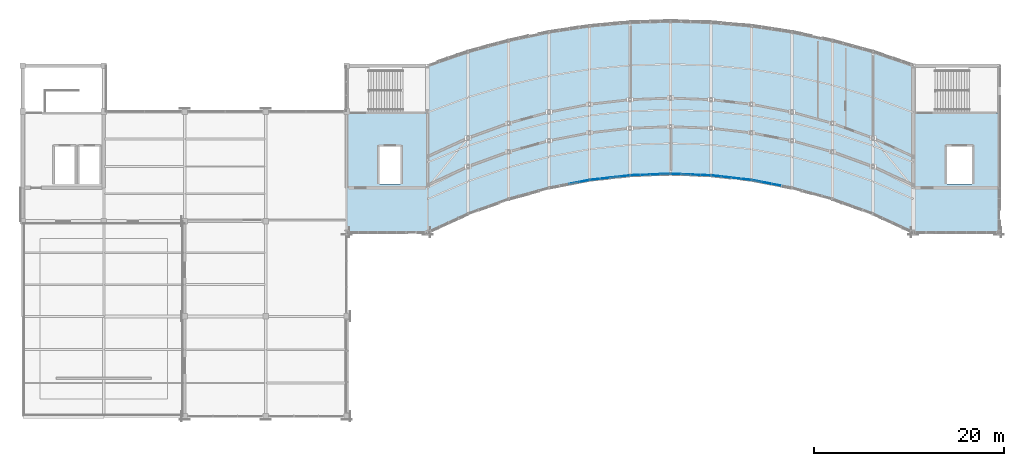
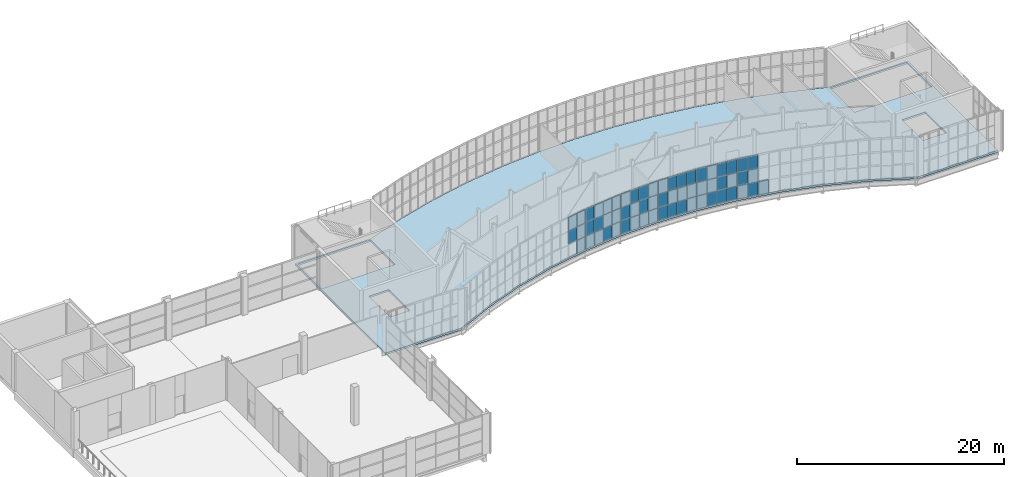
# One storey, part 35 of 46: 60 plates, 1 slab, 6 elements without a shape of their own.
"""IFC4 building model written with IfcOpenShell, lengths in metres."""

from ifc_helpers import new_model, si_unit, direction, frame, origin, origin_2d, place, context, subcontext, project, spatial, polyline, rectangle, outline, extrude, material, layer, layer_set, type_object, element, aggregate, save


model = new_model("IFC4")

# Units and contexts
model_context = context("Model", 3, precision=1e-05, world=origin(), true_north=direction((0.0, 1.0)))
body_context = subcontext(model_context, "Body", "Model", "MODEL_VIEW")
ifc_project = project(units=[si_unit("LENGTHUNIT", "METRE"), si_unit("AREAUNIT", "SQUARE_METRE"), si_unit("VOLUMEUNIT", "CUBIC_METRE"), si_unit("PLANEANGLEUNIT", "RADIAN"), si_unit("MASSUNIT", "GRAM", prefix="KILO")], contexts=[model_context])

# Site, building, storey
site_placement = place(None, origin())
site = spatial("IfcSite", under=ifc_project, at=site_placement, CompositionType="ELEMENT")
building_placement = place(site_placement, origin())
building = spatial("IfcBuilding", under=site, at=building_placement, Name="Solvikara Media Centre", CompositionType="ELEMENT")
storey_placement = place(building_placement, frame((0.0, 0.0, 24.60009765625)))
storey = spatial("IfcBuildingStorey", under=building, at=storey_placement, Name="L05", CompositionType="ELEMENT", Elevation=24.60009765625)

# Curtain wall, plate
ifc_material_1 = material(Name="Anodised aluminium EN AW-6063", Category="aluminium")
curtain_wall_type = type_object("IfcCurtainWallType", Name="CW-01", PredefinedType="NOTDEFINED", material=ifc_material_1)
curtain_wall_1_placement = place(storey_placement, origin())
curtain_wall_1 = element("IfcCurtainWall", 1, at=curtain_wall_1_placement, inside=storey, type_object=curtain_wall_type, Name="CW-L05-SARC-03", PredefinedType="NOTDEFINED")
ifc_material_2 = material(Name="Laminated solar-control cyan vision glass", Category="glass")
ifc_layer_1 = layer(ifc_material_2, 0.035888671875)
ifc_layer_set_1 = layer_set([ifc_layer_1], Name="Laminated solar-control cyan vision glass")
plate_type_1 = type_object("IfcPlateType", Name="PN-01", PredefinedType="CURTAIN_PANEL", material=ifc_layer_set_1)
plate_1_placement = place(storey_placement, frame((92.943115234375, 24.7099609375, 1.62158203125), z_axis=(0.0, 0.0, 1.0), x_axis=(0.981843017659, 0.189695252114, 0.0)))
plate_1 = element("IfcPlate", 2, at=plate_1_placement, type_object=plate_type_1, Name="CW-L05-SARC-03-P0301", PredefinedType="CURTAIN_PANEL", context=body_context, shape_type="SweptSolid", body=[
    extrude(rectangle(XDim=1.034912109375, YDim=0.035888671875, at=origin_2d()), origin(), (0.0, 0.0, 1.0), 1.556884765625),
])

# Curtain wall, plates
curtain_wall_2_placement = place(storey_placement, origin())
curtain_wall_2 = element("IfcCurtainWall", 3, at=curtain_wall_2_placement, inside=storey, type_object=curtain_wall_type, Name="CW-L05-SARC-04", PredefinedType="NOTDEFINED")
plate_2_placement = place(storey_placement, frame((94.05810546875, 24.882080078125, 3.20849609375), z_axis=(0.0, 0.0, 1.0), x_axis=(0.993498545066, 0.113844810828, 0.0)))
plate_2 = element("IfcPlate", 4, at=plate_2_placement, type_object=plate_type_1, Name="CW-L05-SARC-04-P0002", PredefinedType="CURTAIN_PANEL", context=body_context, shape_type="SweptSolid", body=[
    extrude(rectangle(XDim=1.02197265625, YDim=0.035888671875, at=origin_2d()), origin(), (0.0, 0.0, 1.0), 1.556884765625),
])
plate_3_placement = place(storey_placement, frame((95.10302734375, 25.001953125, 0.03466796875), z_axis=(0.0, 0.0, 1.0), x_axis=(0.993498545066, 0.113844810828, 0.0)))
plate_3 = element("IfcPlate", 5, at=plate_3_placement, type_object=plate_type_1, Name="CW-L05-SARC-04-P0100", PredefinedType="CURTAIN_PANEL", context=body_context, shape_type="SweptSolid", body=[
    extrude(rectangle(XDim=1.02197265625, YDim=0.035888671875, at=origin_2d()), origin(), (0.0, 0.0, 1.0), 1.556884765625),
])
plate_4_placement = place(storey_placement, frame((95.10302734375, 25.001953125, 1.62158203125), z_axis=(0.0, 0.0, 1.0), x_axis=(0.993498545066, 0.113844810828, 0.0)))
plate_4 = element("IfcPlate", 6, at=plate_4_placement, type_object=plate_type_1, Name="CW-L05-SARC-04-P0101", PredefinedType="CURTAIN_PANEL", context=body_context, shape_type="SweptSolid", body=[
    extrude(rectangle(XDim=1.02197265625, YDim=0.035888671875, at=origin_2d()), origin(), (0.0, 0.0, 1.0), 1.556884765625),
])
plate_5_placement = place(storey_placement, frame((95.10302734375, 25.001953125, 3.20849609375), z_axis=(0.0, 0.0, 1.0), x_axis=(0.993498545066, 0.113844810828, 0.0)))
plate_5 = element("IfcPlate", 7, at=plate_5_placement, type_object=plate_type_1, Name="CW-L05-SARC-04-P0102", PredefinedType="CURTAIN_PANEL", context=body_context, shape_type="SweptSolid", body=[
    extrude(rectangle(XDim=1.02197265625, YDim=0.035888671875, at=origin_2d()), origin(), (0.0, 0.0, 1.0), 1.556884765625),
])
plate_6_placement = place(storey_placement, frame((97.19189453125, 25.240966796875, 0.03466796875), z_axis=(0.0, 0.0, 1.0), x_axis=(0.993498545066, 0.113844810828, 0.0)))
plate_6 = element("IfcPlate", 8, at=plate_6_placement, type_object=plate_type_1, Name="CW-L05-SARC-04-P0300", PredefinedType="CURTAIN_PANEL", context=body_context, shape_type="SweptSolid", body=[
    extrude(rectangle(XDim=1.02197265625, YDim=0.035888671875, at=origin_2d()), origin(), (0.0, 0.0, 1.0), 1.556884765625),
])
plate_7_placement = place(storey_placement, frame((97.19189453125, 25.240966796875, 1.62158203125), z_axis=(0.0, 0.0, 1.0), x_axis=(0.993498545066, 0.113844810828, 0.0)))
plate_7 = element("IfcPlate", 9, at=plate_7_placement, type_object=plate_type_1, Name="CW-L05-SARC-04-P0301", PredefinedType="CURTAIN_PANEL", context=body_context, shape_type="SweptSolid", body=[
    extrude(rectangle(XDim=1.02197265625, YDim=0.035888671875, at=origin_2d()), origin(), (0.0, 0.0, 1.0), 1.556884765625),
])
plate_8_placement = place(storey_placement, frame((97.19189453125, 25.240966796875, 3.20849609375), z_axis=(0.0, 0.0, 1.0), x_axis=(0.993498545066, 0.113844810828, 0.0)))
plate_8 = element("IfcPlate", 10, at=plate_8_placement, type_object=plate_type_1, Name="CW-L05-SARC-04-P0302", PredefinedType="CURTAIN_PANEL", context=body_context, shape_type="SweptSolid", body=[
    extrude(rectangle(XDim=1.02197265625, YDim=0.035888671875, at=origin_2d()), origin(), (0.0, 0.0, 1.0), 1.556884765625),
])

curtain_wall_3_placement = place(storey_placement, origin())
curtain_wall_3 = element("IfcCurtainWall", 11, at=curtain_wall_3_placement, inside=storey, type_object=curtain_wall_type, Name="CW-L05-SARC-05", PredefinedType="NOTDEFINED")
plate_9_placement = place(storey_placement, frame((98.30810546875, 25.325927734375, 1.62158203125), z_axis=(0.0, 0.0, 1.0), x_axis=(0.999268266619, 0.03824828529, 0.0)))
plate_9 = element("IfcPlate", 12, at=plate_9_placement, type_object=plate_type_1, Name="CW-L05-SARC-05-P0001", PredefinedType="CURTAIN_PANEL", context=body_context, shape_type="SweptSolid", body=[
    extrude(rectangle(XDim=1.01611328125, YDim=0.035888671875, at=origin_2d()), origin(), (0.0, 0.0, 1.0), 1.556884765625),
])
plate_10_placement = place(storey_placement, frame((99.35302734375, 25.365966796875, 0.03466796875), z_axis=(0.0, 0.0, 1.0), x_axis=(0.999268266619, 0.03824828529, 0.0)))
plate_10 = element("IfcPlate", 13, at=plate_10_placement, type_object=plate_type_1, Name="CW-L05-SARC-05-P0100", PredefinedType="CURTAIN_PANEL", context=body_context, shape_type="SweptSolid", body=[
    extrude(rectangle(XDim=1.01611328125, YDim=0.035888671875, at=origin_2d()), origin(), (0.0, 0.0, 1.0), 1.556884765625),
])
plate_11_placement = place(storey_placement, frame((99.35302734375, 25.365966796875, 1.62158203125), z_axis=(0.0, 0.0, 1.0), x_axis=(0.999268266619, 0.03824828529, 0.0)))
plate_11 = element("IfcPlate", 14, at=plate_11_placement, type_object=plate_type_1, Name="CW-L05-SARC-05-P0101", PredefinedType="CURTAIN_PANEL", context=body_context, shape_type="SweptSolid", body=[
    extrude(rectangle(XDim=1.01611328125, YDim=0.035888671875, at=origin_2d()), origin(), (0.0, 0.0, 1.0), 1.556884765625),
])
plate_12_placement = place(storey_placement, frame((99.35302734375, 25.365966796875, 3.20849609375), z_axis=(0.0, 0.0, 1.0), x_axis=(0.999268266619, 0.03824828529, 0.0)))
plate_12 = element("IfcPlate", 15, at=plate_12_placement, type_object=plate_type_1, Name="CW-L05-SARC-05-P0102", PredefinedType="CURTAIN_PANEL", context=body_context, shape_type="SweptSolid", body=[
    extrude(rectangle(XDim=1.01611328125, YDim=0.035888671875, at=origin_2d()), origin(), (0.0, 0.0, 1.0), 1.556884765625),
])
plate_13_placement = place(storey_placement, frame((100.39697265625, 25.406005859375, 1.62158203125), z_axis=(0.0, 0.0, 1.0), x_axis=(0.999268266619, 0.03824828529, 0.0)))
plate_13 = element("IfcPlate", 16, at=plate_13_placement, type_object=plate_type_1, Name="CW-L05-SARC-05-P0201", PredefinedType="CURTAIN_PANEL", context=body_context, shape_type="SweptSolid", body=[
    extrude(rectangle(XDim=1.01611328125, YDim=0.035888671875, at=origin_2d()), origin(), (0.0, 0.0, 1.0), 1.556884765625),
])

curtain_wall_4_placement = place(storey_placement, origin())
curtain_wall_4 = element("IfcCurtainWall", 17, at=curtain_wall_4_placement, inside=storey, type_object=curtain_wall_type, Name="CW-L05-SARC-06", PredefinedType="NOTDEFINED")
plate_14_placement = place(storey_placement, frame((102.55810546875, 25.446044921875, 3.20849609375), z_axis=(0.0, 0.0, 1.0), x_axis=(0.999268266619, -0.03824828529, 0.0)))
plate_14 = element("IfcPlate", 18, at=plate_14_placement, type_object=plate_type_1, Name="CW-L05-SARC-06-P0002", PredefinedType="CURTAIN_PANEL", context=body_context, shape_type="SweptSolid", body=[
    extrude(rectangle(XDim=1.01611328125, YDim=0.035888671875, at=origin_2d()), origin(), (0.0, 0.0, 1.0), 1.556884765625),
])
plate_15_placement = place(storey_placement, frame((104.64697265625, 25.365966796875, 1.62158203125), z_axis=(0.0, 0.0, 1.0), x_axis=(0.999268266619, -0.03824828529, 0.0)))
plate_15 = element("IfcPlate", 19, at=plate_15_placement, type_object=plate_type_1, Name="CW-L05-SARC-06-P0201", PredefinedType="CURTAIN_PANEL", context=body_context, shape_type="SweptSolid", body=[
    extrude(rectangle(XDim=1.01611328125, YDim=0.035888671875, at=origin_2d()), origin(), (0.0, 0.0, 1.0), 1.556884765625),
])
plate_16_placement = place(storey_placement, frame((105.69189453125, 25.325927734375, 0.03466796875), z_axis=(0.0, 0.0, 1.0), x_axis=(0.999268266619, -0.03824828529, 0.0)))
plate_16 = element("IfcPlate", 20, at=plate_16_placement, type_object=plate_type_1, Name="CW-L05-SARC-06-P0300", PredefinedType="CURTAIN_PANEL", context=body_context, shape_type="SweptSolid", body=[
    extrude(rectangle(XDim=1.01611328125, YDim=0.035888671875, at=origin_2d()), origin(), (0.0, 0.0, 1.0), 1.556884765625),
])
plate_17_placement = place(storey_placement, frame((105.69189453125, 25.325927734375, 1.62158203125), z_axis=(0.0, 0.0, 1.0), x_axis=(0.999268266619, -0.03824828529, 0.0)))
plate_17 = element("IfcPlate", 21, at=plate_17_placement, type_object=plate_type_1, Name="CW-L05-SARC-06-P0301", PredefinedType="CURTAIN_PANEL", context=body_context, shape_type="SweptSolid", body=[
    extrude(rectangle(XDim=1.01611328125, YDim=0.035888671875, at=origin_2d()), origin(), (0.0, 0.0, 1.0), 1.556884765625),
])
plate_18_placement = place(storey_placement, frame((105.69189453125, 25.325927734375, 3.20849609375), z_axis=(0.0, 0.0, 1.0), x_axis=(0.999268266619, -0.03824828529, 0.0)))
plate_18 = element("IfcPlate", 22, at=plate_18_placement, type_object=plate_type_1, Name="CW-L05-SARC-06-P0302", PredefinedType="CURTAIN_PANEL", context=body_context, shape_type="SweptSolid", body=[
    extrude(rectangle(XDim=1.01611328125, YDim=0.035888671875, at=origin_2d()), origin(), (0.0, 0.0, 1.0), 1.556884765625),
])

curtain_wall_5_placement = place(storey_placement, origin())
curtain_wall_5 = element("IfcCurtainWall", 23, at=curtain_wall_5_placement, inside=storey, type_object=curtain_wall_type, Name="CW-L05-SARC-07", PredefinedType="NOTDEFINED")
plate_19_placement = place(storey_placement, frame((107.85302734375, 25.12109375, 1.62158203125), z_axis=(0.0, 0.0, 1.0), x_axis=(0.993498545066, -0.113844810828, 0.0)))
plate_19 = element("IfcPlate", 24, at=plate_19_placement, type_object=plate_type_1, Name="CW-L05-SARC-07-P0101", PredefinedType="CURTAIN_PANEL", context=body_context, shape_type="SweptSolid", body=[
    extrude(rectangle(XDim=1.02197265625, YDim=0.035888671875, at=origin_2d()), origin(), (0.0, 0.0, 1.0), 1.556884765625),
])
plate_20_placement = place(storey_placement, frame((107.85302734375, 25.12109375, 3.20849609375), z_axis=(0.0, 0.0, 1.0), x_axis=(0.993498545066, -0.113844810828, 0.0)))
plate_20 = element("IfcPlate", 25, at=plate_20_placement, type_object=plate_type_1, Name="CW-L05-SARC-07-P0102", PredefinedType="CURTAIN_PANEL", context=body_context, shape_type="SweptSolid", body=[
    extrude(rectangle(XDim=1.02197265625, YDim=0.035888671875, at=origin_2d()), origin(), (0.0, 0.0, 1.0), 1.556884765625),
])
plate_21_placement = place(storey_placement, frame((108.89794921875, 25.001953125, 0.03466796875), z_axis=(0.0, 0.0, 1.0), x_axis=(0.993498545066, -0.113844810828, 0.0)))
plate_21 = element("IfcPlate", 26, at=plate_21_placement, type_object=plate_type_1, Name="CW-L05-SARC-07-P0200", PredefinedType="CURTAIN_PANEL", context=body_context, shape_type="SweptSolid", body=[
    extrude(rectangle(XDim=1.02197265625, YDim=0.035888671875, at=origin_2d()), origin(), (0.0, 0.0, 1.0), 1.556884765625),
])
plate_22_placement = place(storey_placement, frame((108.89794921875, 25.001953125, 1.62158203125), z_axis=(0.0, 0.0, 1.0), x_axis=(0.993498545066, -0.113844810828, 0.0)))
plate_22 = element("IfcPlate", 27, at=plate_22_placement, type_object=plate_type_1, Name="CW-L05-SARC-07-P0201", PredefinedType="CURTAIN_PANEL", context=body_context, shape_type="SweptSolid", body=[
    extrude(rectangle(XDim=1.02197265625, YDim=0.035888671875, at=origin_2d()), origin(), (0.0, 0.0, 1.0), 1.556884765625),
])
plate_23_placement = place(storey_placement, frame((108.89794921875, 25.001953125, 3.20849609375), z_axis=(0.0, 0.0, 1.0), x_axis=(0.993498545066, -0.113844810828, 0.0)))
plate_23 = element("IfcPlate", 28, at=plate_23_placement, type_object=plate_type_1, Name="CW-L05-SARC-07-P0202", PredefinedType="CURTAIN_PANEL", context=body_context, shape_type="SweptSolid", body=[
    extrude(rectangle(XDim=1.02197265625, YDim=0.035888671875, at=origin_2d()), origin(), (0.0, 0.0, 1.0), 1.556884765625),
])
plate_24_placement = place(storey_placement, frame((109.94189453125, 24.882080078125, 1.62158203125), z_axis=(0.0, 0.0, 1.0), x_axis=(0.993498545066, -0.113844810828, 0.0)))
plate_24 = element("IfcPlate", 29, at=plate_24_placement, type_object=plate_type_1, Name="CW-L05-SARC-07-P0301", PredefinedType="CURTAIN_PANEL", context=body_context, shape_type="SweptSolid", body=[
    extrude(rectangle(XDim=1.02197265625, YDim=0.035888671875, at=origin_2d()), origin(), (0.0, 0.0, 1.0), 1.556884765625),
])

curtain_wall_6_placement = place(storey_placement, origin())
curtain_wall_6 = element("IfcCurtainWall", 30, at=curtain_wall_6_placement, inside=storey, type_object=curtain_wall_type, Name="CW-L05-SARC-08", PredefinedType="NOTDEFINED")
plate_25_placement = place(storey_placement, frame((112.10205078125, 24.508056640625, 1.62158203125), z_axis=(0.0, 0.0, 1.0), x_axis=(0.981843017659, -0.189695252114, 0.0)))
plate_25 = element("IfcPlate", 31, at=plate_25_placement, type_object=plate_type_1, Name="CW-L05-SARC-08-P0101", PredefinedType="CURTAIN_PANEL", context=body_context, shape_type="SweptSolid", body=[
    extrude(rectangle(XDim=1.034912109375, YDim=0.035888671875, at=origin_2d()), origin(), (0.0, 0.0, 1.0), 1.556884765625),
])
plate_26_placement = place(storey_placement, frame((113.14794921875, 24.305908203125, 0.03466796875), z_axis=(0.0, 0.0, 1.0), x_axis=(0.981843017659, -0.189695252114, 0.0)))
plate_26 = element("IfcPlate", 32, at=plate_26_placement, type_object=plate_type_1, Name="CW-L05-SARC-08-P0200", PredefinedType="CURTAIN_PANEL", context=body_context, shape_type="SweptSolid", body=[
    extrude(rectangle(XDim=1.034912109375, YDim=0.035888671875, at=origin_2d()), origin(), (0.0, 0.0, 1.0), 1.556884765625),
])

# Plate
ifc_material_3 = material(Name="Ceramic-fritted teal low-E glass", Category="glass")
ifc_layer_2 = layer(ifc_material_3, 0.0419921875)
ifc_layer_set_2 = layer_set([ifc_layer_2], Name="Ceramic-fritted teal low-E glass")
plate_type_2 = type_object("IfcPlateType", Name="PN-02", PredefinedType="CURTAIN_PANEL", material=ifc_layer_set_2)
plate_27_placement = place(storey_placement, frame((91.89794921875, 24.508056640625, 1.62158203125), z_axis=(0.0, 0.0, 1.0), x_axis=(0.981843017659, 0.189695252114, 0.0)))
plate_27 = element("IfcPlate", 33, at=plate_27_placement, type_object=plate_type_2, Name="CW-L05-SARC-03-P0201", PredefinedType="CURTAIN_PANEL", context=body_context, shape_type="SweptSolid", body=[
    extrude(rectangle(XDim=1.034912109375, YDim=0.0419921875, at=origin_2d()), origin(), (0.0, 0.0, 1.0), 1.556884765625),
])

plate_28_placement = place(storey_placement, frame((91.89794921875, 24.508056640625, 3.20849609375), z_axis=(0.0, 0.0, 1.0), x_axis=(0.981843017659, 0.189695252114, 0.0)))
plate_28 = element("IfcPlate", 34, at=plate_28_placement, type_object=plate_type_2, Name="CW-L05-SARC-03-P0202", PredefinedType="CURTAIN_PANEL", context=body_context, shape_type="SweptSolid", body=[
    extrude(rectangle(XDim=1.034912109375, YDim=0.0419921875, at=origin_2d()), origin(), (0.0, 0.0, 1.0), 1.556884765625),
])

plate_29_placement = place(storey_placement, frame((96.14794921875, 25.12109375, 0.03466796875), z_axis=(0.0, 0.0, 1.0), x_axis=(0.993498545066, 0.113844810828, 0.0)))
plate_29 = element("IfcPlate", 35, at=plate_29_placement, type_object=plate_type_2, Name="CW-L05-SARC-04-P0200", PredefinedType="CURTAIN_PANEL", context=body_context, shape_type="SweptSolid", body=[
    extrude(rectangle(XDim=1.02197265625, YDim=0.0419921875, at=origin_2d()), origin(), (0.0, 0.0, 1.0), 1.556884765625),
])

plate_30_placement = place(storey_placement, frame((96.14794921875, 25.12109375, 1.62158203125), z_axis=(0.0, 0.0, 1.0), x_axis=(0.993498545066, 0.113844810828, 0.0)))
plate_30 = element("IfcPlate", 36, at=plate_30_placement, type_object=plate_type_2, Name="CW-L05-SARC-04-P0201", PredefinedType="CURTAIN_PANEL", context=body_context, shape_type="SweptSolid", body=[
    extrude(rectangle(XDim=1.02197265625, YDim=0.0419921875, at=origin_2d()), origin(), (0.0, 0.0, 1.0), 1.556884765625),
])

plate_31_placement = place(storey_placement, frame((96.14794921875, 25.12109375, 3.20849609375), z_axis=(0.0, 0.0, 1.0), x_axis=(0.993498545066, 0.113844810828, 0.0)))
plate_31 = element("IfcPlate", 37, at=plate_31_placement, type_object=plate_type_2, Name="CW-L05-SARC-04-P0202", PredefinedType="CURTAIN_PANEL", context=body_context, shape_type="SweptSolid", body=[
    extrude(rectangle(XDim=1.02197265625, YDim=0.0419921875, at=origin_2d()), origin(), (0.0, 0.0, 1.0), 1.556884765625),
])

plate_32_placement = place(storey_placement, frame((100.39697265625, 25.406005859375, 0.03466796875), z_axis=(0.0, 0.0, 1.0), x_axis=(0.999268266619, 0.03824828529, 0.0)))
plate_32 = element("IfcPlate", 38, at=plate_32_placement, type_object=plate_type_2, Name="CW-L05-SARC-05-P0200", PredefinedType="CURTAIN_PANEL", context=body_context, shape_type="SweptSolid", body=[
    extrude(rectangle(XDim=1.01611328125, YDim=0.0419921875, at=origin_2d()), origin(), (0.0, 0.0, 1.0), 1.556884765625),
])

plate_33_placement = place(storey_placement, frame((101.44189453125, 25.446044921875, 1.62158203125), z_axis=(0.0, 0.0, 1.0), x_axis=(0.999268266619, 0.03824828529, 0.0)))
plate_33 = element("IfcPlate", 39, at=plate_33_placement, type_object=plate_type_2, Name="CW-L05-SARC-05-P0301", PredefinedType="CURTAIN_PANEL", context=body_context, shape_type="SweptSolid", body=[
    extrude(rectangle(XDim=1.01611328125, YDim=0.0419921875, at=origin_2d()), origin(), (0.0, 0.0, 1.0), 1.556884765625),
])

plate_34_placement = place(storey_placement, frame((101.44189453125, 25.446044921875, 3.20849609375), z_axis=(0.0, 0.0, 1.0), x_axis=(0.999268266619, 0.03824828529, 0.0)))
plate_34 = element("IfcPlate", 40, at=plate_34_placement, type_object=plate_type_2, Name="CW-L05-SARC-05-P0302", PredefinedType="CURTAIN_PANEL", context=body_context, shape_type="SweptSolid", body=[
    extrude(rectangle(XDim=1.01611328125, YDim=0.0419921875, at=origin_2d()), origin(), (0.0, 0.0, 1.0), 1.556884765625),
])

plate_35_placement = place(storey_placement, frame((102.55810546875, 25.446044921875, 0.03466796875), z_axis=(0.0, 0.0, 1.0), x_axis=(0.999268266619, -0.03824828529, 0.0)))
plate_35 = element("IfcPlate", 41, at=plate_35_placement, type_object=plate_type_2, Name="CW-L05-SARC-06-P0000", PredefinedType="CURTAIN_PANEL", context=body_context, shape_type="SweptSolid", body=[
    extrude(rectangle(XDim=1.01611328125, YDim=0.0419921875, at=origin_2d()), origin(), (0.0, 0.0, 1.0), 1.556884765625),
])

plate_36_placement = place(storey_placement, frame((102.55810546875, 25.446044921875, 1.62158203125), z_axis=(0.0, 0.0, 1.0), x_axis=(0.999268266619, -0.03824828529, 0.0)))
plate_36 = element("IfcPlate", 42, at=plate_36_placement, type_object=plate_type_2, Name="CW-L05-SARC-06-P0001", PredefinedType="CURTAIN_PANEL", context=body_context, shape_type="SweptSolid", body=[
    extrude(rectangle(XDim=1.01611328125, YDim=0.0419921875, at=origin_2d()), origin(), (0.0, 0.0, 1.0), 1.556884765625),
])

plate_37_placement = place(storey_placement, frame((103.60302734375, 25.406005859375, 0.03466796875), z_axis=(0.0, 0.0, 1.0), x_axis=(0.999268266619, -0.03824828529, 0.0)))
plate_37 = element("IfcPlate", 43, at=plate_37_placement, type_object=plate_type_2, Name="CW-L05-SARC-06-P0100", PredefinedType="CURTAIN_PANEL", context=body_context, shape_type="SweptSolid", body=[
    extrude(rectangle(XDim=1.01611328125, YDim=0.0419921875, at=origin_2d()), origin(), (0.0, 0.0, 1.0), 1.556884765625),
])

plate_38_placement = place(storey_placement, frame((103.60302734375, 25.406005859375, 1.62158203125), z_axis=(0.0, 0.0, 1.0), x_axis=(0.999268266619, -0.03824828529, 0.0)))
plate_38 = element("IfcPlate", 44, at=plate_38_placement, type_object=plate_type_2, Name="CW-L05-SARC-06-P0101", PredefinedType="CURTAIN_PANEL", context=body_context, shape_type="SweptSolid", body=[
    extrude(rectangle(XDim=1.01611328125, YDim=0.0419921875, at=origin_2d()), origin(), (0.0, 0.0, 1.0), 1.556884765625),
])

plate_39_placement = place(storey_placement, frame((103.60302734375, 25.406005859375, 3.20849609375), z_axis=(0.0, 0.0, 1.0), x_axis=(0.999268266619, -0.03824828529, 0.0)))
plate_39 = element("IfcPlate", 45, at=plate_39_placement, type_object=plate_type_2, Name="CW-L05-SARC-06-P0102", PredefinedType="CURTAIN_PANEL", context=body_context, shape_type="SweptSolid", body=[
    extrude(rectangle(XDim=1.01611328125, YDim=0.0419921875, at=origin_2d()), origin(), (0.0, 0.0, 1.0), 1.556884765625),
])

plate_40_placement = place(storey_placement, frame((104.64697265625, 25.365966796875, 0.03466796875), z_axis=(0.0, 0.0, 1.0), x_axis=(0.999268266619, -0.03824828529, 0.0)))
plate_40 = element("IfcPlate", 46, at=plate_40_placement, type_object=plate_type_2, Name="CW-L05-SARC-06-P0200", PredefinedType="CURTAIN_PANEL", context=body_context, shape_type="SweptSolid", body=[
    extrude(rectangle(XDim=1.01611328125, YDim=0.0419921875, at=origin_2d()), origin(), (0.0, 0.0, 1.0), 1.556884765625),
])

plate_41_placement = place(storey_placement, frame((104.64697265625, 25.365966796875, 3.20849609375), z_axis=(0.0, 0.0, 1.0), x_axis=(0.999268266619, -0.03824828529, 0.0)))
plate_41 = element("IfcPlate", 47, at=plate_41_placement, type_object=plate_type_2, Name="CW-L05-SARC-06-P0202", PredefinedType="CURTAIN_PANEL", context=body_context, shape_type="SweptSolid", body=[
    extrude(rectangle(XDim=1.01611328125, YDim=0.0419921875, at=origin_2d()), origin(), (0.0, 0.0, 1.0), 1.556884765625),
])

aggregate(curtain_wall_4, [plate_35, plate_36, plate_14, plate_37, plate_38, plate_39, plate_40, plate_15, plate_41, plate_16, plate_17, plate_18])

plate_42_placement = place(storey_placement, frame((106.80810546875, 25.240966796875, 1.62158203125), z_axis=(0.0, 0.0, 1.0), x_axis=(0.993498545066, -0.113844810828, 0.0)))
plate_42 = element("IfcPlate", 48, at=plate_42_placement, type_object=plate_type_2, Name="CW-L05-SARC-07-P0001", PredefinedType="CURTAIN_PANEL", context=body_context, shape_type="SweptSolid", body=[
    extrude(rectangle(XDim=1.02197265625, YDim=0.0419921875, at=origin_2d()), origin(), (0.0, 0.0, 1.0), 1.556884765625),
])

plate_43_placement = place(storey_placement, frame((109.94189453125, 24.882080078125, 3.20849609375), z_axis=(0.0, 0.0, 1.0), x_axis=(0.993498545066, -0.113844810828, 0.0)))
plate_43 = element("IfcPlate", 49, at=plate_43_placement, type_object=plate_type_2, Name="CW-L05-SARC-07-P0302", PredefinedType="CURTAIN_PANEL", context=body_context, shape_type="SweptSolid", body=[
    extrude(rectangle(XDim=1.02197265625, YDim=0.0419921875, at=origin_2d()), origin(), (0.0, 0.0, 1.0), 1.556884765625),
])

plate_44_placement = place(storey_placement, frame((111.055908203125, 24.7099609375, 0.03466796875), z_axis=(0.0, 0.0, 1.0), x_axis=(0.981843017659, -0.189695252114, 0.0)))
plate_44 = element("IfcPlate", 50, at=plate_44_placement, type_object=plate_type_2, Name="CW-L05-SARC-08-P0000", PredefinedType="CURTAIN_PANEL", context=body_context, shape_type="SweptSolid", body=[
    extrude(rectangle(XDim=1.034912109375, YDim=0.0419921875, at=origin_2d()), origin(), (0.0, 0.0, 1.0), 1.556884765625),
])

plate_45_placement = place(storey_placement, frame((111.055908203125, 24.7099609375, 1.62158203125), z_axis=(0.0, 0.0, 1.0), x_axis=(0.981843017659, -0.189695252114, 0.0)))
plate_45 = element("IfcPlate", 51, at=plate_45_placement, type_object=plate_type_2, Name="CW-L05-SARC-08-P0001", PredefinedType="CURTAIN_PANEL", context=body_context, shape_type="SweptSolid", body=[
    extrude(rectangle(XDim=1.034912109375, YDim=0.0419921875, at=origin_2d()), origin(), (0.0, 0.0, 1.0), 1.556884765625),
])

plate_46_placement = place(storey_placement, frame((112.10205078125, 24.508056640625, 0.03466796875), z_axis=(0.0, 0.0, 1.0), x_axis=(0.981843017659, -0.189695252114, 0.0)))
plate_46 = element("IfcPlate", 52, at=plate_46_placement, type_object=plate_type_2, Name="CW-L05-SARC-08-P0100", PredefinedType="CURTAIN_PANEL", context=body_context, shape_type="SweptSolid", body=[
    extrude(rectangle(XDim=1.034912109375, YDim=0.0419921875, at=origin_2d()), origin(), (0.0, 0.0, 1.0), 1.556884765625),
])

ifc_material_4 = material(Name="Insulated silver-pearl glass spandrel panel", Category="glass")
ifc_layer_3 = layer(ifc_material_4, 0.054931640625)
ifc_layer_set_3 = layer_set([ifc_layer_3], Name="Insulated silver-pearl glass spandrel panel")
plate_type_3 = type_object("IfcPlateType", Name="PN-03", PredefinedType="CURTAIN_PANEL", material=ifc_layer_set_3)
plate_47_placement = place(storey_placement, frame((92.943115234375, 24.7099609375, 0.03466796875), z_axis=(0.0, 0.0, 1.0), x_axis=(0.981843017659, 0.189695252114, 0.0)))
plate_47 = element("IfcPlate", 53, at=plate_47_placement, type_object=plate_type_3, Name="CW-L05-SARC-03-P0300", PredefinedType="CURTAIN_PANEL", context=body_context, shape_type="SweptSolid", body=[
    extrude(rectangle(XDim=1.034912109375, YDim=0.054931640625, at=origin_2d()), origin(), (0.0, 0.0, 1.0), 1.556884765625),
])

plate_48_placement = place(storey_placement, frame((92.943115234375, 24.7099609375, 3.20849609375), z_axis=(0.0, 0.0, 1.0), x_axis=(0.981843017659, 0.189695252114, 0.0)))
plate_48 = element("IfcPlate", 54, at=plate_48_placement, type_object=plate_type_3, Name="CW-L05-SARC-03-P0302", PredefinedType="CURTAIN_PANEL", context=body_context, shape_type="SweptSolid", body=[
    extrude(rectangle(XDim=1.034912109375, YDim=0.054931640625, at=origin_2d()), origin(), (0.0, 0.0, 1.0), 1.556884765625),
])

aggregate(curtain_wall_1, [plate_27, plate_28, plate_47, plate_1, plate_48])

plate_49_placement = place(storey_placement, frame((94.05810546875, 24.882080078125, 0.03466796875), z_axis=(0.0, 0.0, 1.0), x_axis=(0.993498545066, 0.113844810828, 0.0)))
plate_49 = element("IfcPlate", 55, at=plate_49_placement, type_object=plate_type_3, Name="CW-L05-SARC-04-P0000", PredefinedType="CURTAIN_PANEL", context=body_context, shape_type="SweptSolid", body=[
    extrude(rectangle(XDim=1.02197265625, YDim=0.054931640625, at=origin_2d()), origin(), (0.0, 0.0, 1.0), 1.556884765625),
])

plate_50_placement = place(storey_placement, frame((94.05810546875, 24.882080078125, 1.62158203125), z_axis=(0.0, 0.0, 1.0), x_axis=(0.993498545066, 0.113844810828, 0.0)))
plate_50 = element("IfcPlate", 56, at=plate_50_placement, type_object=plate_type_3, Name="CW-L05-SARC-04-P0001", PredefinedType="CURTAIN_PANEL", context=body_context, shape_type="SweptSolid", body=[
    extrude(rectangle(XDim=1.02197265625, YDim=0.054931640625, at=origin_2d()), origin(), (0.0, 0.0, 1.0), 1.556884765625),
])

aggregate(curtain_wall_2, [plate_49, plate_50, plate_2, plate_3, plate_4, plate_5, plate_29, plate_30, plate_31, plate_6, plate_7, plate_8])

plate_51_placement = place(storey_placement, frame((98.30810546875, 25.325927734375, 0.03466796875), z_axis=(0.0, 0.0, 1.0), x_axis=(0.999268266619, 0.03824828529, 0.0)))
plate_51 = element("IfcPlate", 57, at=plate_51_placement, type_object=plate_type_3, Name="CW-L05-SARC-05-P0000", PredefinedType="CURTAIN_PANEL", context=body_context, shape_type="SweptSolid", body=[
    extrude(rectangle(XDim=1.01611328125, YDim=0.054931640625, at=origin_2d()), origin(), (0.0, 0.0, 1.0), 1.556884765625),
])

plate_52_placement = place(storey_placement, frame((98.30810546875, 25.325927734375, 3.20849609375), z_axis=(0.0, 0.0, 1.0), x_axis=(0.999268266619, 0.03824828529, 0.0)))
plate_52 = element("IfcPlate", 58, at=plate_52_placement, type_object=plate_type_3, Name="CW-L05-SARC-05-P0002", PredefinedType="CURTAIN_PANEL", context=body_context, shape_type="SweptSolid", body=[
    extrude(rectangle(XDim=1.01611328125, YDim=0.054931640625, at=origin_2d()), origin(), (0.0, 0.0, 1.0), 1.556884765625),
])

plate_53_placement = place(storey_placement, frame((100.39697265625, 25.406005859375, 3.20849609375), z_axis=(0.0, 0.0, 1.0), x_axis=(0.999268266619, 0.03824828529, 0.0)))
plate_53 = element("IfcPlate", 59, at=plate_53_placement, type_object=plate_type_3, Name="CW-L05-SARC-05-P0202", PredefinedType="CURTAIN_PANEL", context=body_context, shape_type="SweptSolid", body=[
    extrude(rectangle(XDim=1.01611328125, YDim=0.054931640625, at=origin_2d()), origin(), (0.0, 0.0, 1.0), 1.556884765625),
])

plate_54_placement = place(storey_placement, frame((101.44189453125, 25.446044921875, 0.03466796875), z_axis=(0.0, 0.0, 1.0), x_axis=(0.999268266619, 0.03824828529, 0.0)))
plate_54 = element("IfcPlate", 60, at=plate_54_placement, type_object=plate_type_3, Name="CW-L05-SARC-05-P0300", PredefinedType="CURTAIN_PANEL", context=body_context, shape_type="SweptSolid", body=[
    extrude(rectangle(XDim=1.01611328125, YDim=0.054931640625, at=origin_2d()), origin(), (0.0, 0.0, 1.0), 1.556884765625),
])

aggregate(curtain_wall_3, [plate_51, plate_9, plate_52, plate_10, plate_11, plate_12, plate_32, plate_13, plate_53, plate_54, plate_33, plate_34])

plate_55_placement = place(storey_placement, frame((106.80810546875, 25.240966796875, 0.03466796875), z_axis=(0.0, 0.0, 1.0), x_axis=(0.993498545066, -0.113844810828, 0.0)))
plate_55 = element("IfcPlate", 61, at=plate_55_placement, type_object=plate_type_3, Name="CW-L05-SARC-07-P0000", PredefinedType="CURTAIN_PANEL", context=body_context, shape_type="SweptSolid", body=[
    extrude(rectangle(XDim=1.02197265625, YDim=0.054931640625, at=origin_2d()), origin(), (0.0, 0.0, 1.0), 1.556884765625),
])

plate_56_placement = place(storey_placement, frame((106.80810546875, 25.240966796875, 3.20849609375), z_axis=(0.0, 0.0, 1.0), x_axis=(0.993498545066, -0.113844810828, 0.0)))
plate_56 = element("IfcPlate", 62, at=plate_56_placement, type_object=plate_type_3, Name="CW-L05-SARC-07-P0002", PredefinedType="CURTAIN_PANEL", context=body_context, shape_type="SweptSolid", body=[
    extrude(rectangle(XDim=1.02197265625, YDim=0.054931640625, at=origin_2d()), origin(), (0.0, 0.0, 1.0), 1.556884765625),
])

plate_57_placement = place(storey_placement, frame((107.85302734375, 25.12109375, 0.03466796875), z_axis=(0.0, 0.0, 1.0), x_axis=(0.993498545066, -0.113844810828, 0.0)))
plate_57 = element("IfcPlate", 63, at=plate_57_placement, type_object=plate_type_3, Name="CW-L05-SARC-07-P0100", PredefinedType="CURTAIN_PANEL", context=body_context, shape_type="SweptSolid", body=[
    extrude(rectangle(XDim=1.02197265625, YDim=0.054931640625, at=origin_2d()), origin(), (0.0, 0.0, 1.0), 1.556884765625),
])

plate_58_placement = place(storey_placement, frame((109.94189453125, 24.882080078125, 0.03466796875), z_axis=(0.0, 0.0, 1.0), x_axis=(0.993498545066, -0.113844810828, 0.0)))
plate_58 = element("IfcPlate", 64, at=plate_58_placement, type_object=plate_type_3, Name="CW-L05-SARC-07-P0300", PredefinedType="CURTAIN_PANEL", context=body_context, shape_type="SweptSolid", body=[
    extrude(rectangle(XDim=1.02197265625, YDim=0.054931640625, at=origin_2d()), origin(), (0.0, 0.0, 1.0), 1.556884765625),
])

aggregate(curtain_wall_5, [plate_55, plate_42, plate_56, plate_57, plate_19, plate_20, plate_21, plate_22, plate_23, plate_58, plate_24, plate_43])

plate_59_placement = place(storey_placement, frame((111.055908203125, 24.7099609375, 3.20849609375), z_axis=(0.0, 0.0, 1.0), x_axis=(0.981843017659, -0.189695252114, 0.0)))
plate_59 = element("IfcPlate", 65, at=plate_59_placement, type_object=plate_type_3, Name="CW-L05-SARC-08-P0002", PredefinedType="CURTAIN_PANEL", context=body_context, shape_type="SweptSolid", body=[
    extrude(rectangle(XDim=1.034912109375, YDim=0.054931640625, at=origin_2d()), origin(), (0.0, 0.0, 1.0), 1.556884765625),
])

plate_60_placement = place(storey_placement, frame((112.10205078125, 24.508056640625, 3.20849609375), z_axis=(0.0, 0.0, 1.0), x_axis=(0.981843017659, -0.189695252114, 0.0)))
plate_60 = element("IfcPlate", 66, at=plate_60_placement, type_object=plate_type_3, Name="CW-L05-SARC-08-P0102", PredefinedType="CURTAIN_PANEL", context=body_context, shape_type="SweptSolid", body=[
    extrude(rectangle(XDim=1.034912109375, YDim=0.054931640625, at=origin_2d()), origin(), (0.0, 0.0, 1.0), 1.556884765625),
])

aggregate(curtain_wall_6, [plate_44, plate_45, plate_59, plate_46, plate_25, plate_60, plate_26])

# Slab
ifc_material_5 = material(Name="Concrete fc' 35 MPa (C35/45)", Category="concrete")
ifc_layer_4 = layer(ifc_material_5, 0.219970703125)
ifc_layer_set_4 = layer_set([ifc_layer_4], Name="Concrete fc' 35 MPa (C35/45)")
slab_type = type_object("IfcSlabType", Name="ST-08", PredefinedType="FLOOR", material=ifc_layer_set_4)
slab_placement = place(storey_placement, frame((0.0, 0.0, -0.22021484375)))
element("IfcSlab", 67, at=slab_placement, inside=storey, type_object=slab_type, Name="SL-L05-V7", PredefinedType="FLOOR", context=body_context, shape_type="SweptSolid", body=[
    extrude(outline(polyline([(68.0, 19.323974609375), (76.5, 19.323974609375), (80.75, 21.279052734375), (85.0, 22.823974609375), (89.25, 23.99609375), (93.5, 24.818115234375), (97.75, 25.304931640625), (102.0, 25.467041015625), (106.25, 25.304931640625), (110.5, 24.818115234375), (114.75, 23.99609375), (119.0, 22.823974609375), (123.25, 21.279052734375), (127.5, 19.323974609375), (136.5, 19.323974609375), (136.5, 36.800048828125), (127.5, 36.800048828125), (123.25, 38.260009765625), (119.0, 39.430908203125), (114.75, 40.3291015625), (110.5, 40.964111328125), (106.25, 41.341064453125), (102.0, 41.467041015625), (97.75, 41.341064453125), (93.5, 40.964111328125), (89.25, 40.3291015625), (85.0, 39.430908203125), (80.75, 38.260009765625), (76.5, 36.800048828125), (68.0, 36.800048828125), (68.0, 19.323974609375)]), holes=[polyline([(68.179931640625, 31.85009765625), (76.320068359375, 31.85009765625), (76.320068359375, 36.6201171875), (68.179931640625, 36.6201171875), (68.179931640625, 31.85009765625)]), polyline([(71.449951171875, 24.39990234375), (73.64990234375, 24.39990234375), (73.64990234375, 28.449951171875), (71.449951171875, 28.449951171875), (71.449951171875, 24.39990234375)]), polyline([(127.679931640625, 31.85009765625), (136.320068359375, 31.85009765625), (136.320068359375, 36.6201171875), (127.679931640625, 36.6201171875), (127.679931640625, 31.85009765625)]), polyline([(131.050048828125, 24.39990234375), (133.64990234375, 24.39990234375), (133.64990234375, 28.449951171875), (131.050048828125, 28.449951171875), (131.050048828125, 24.39990234375)])]), origin(), (0.0, 0.0, 1.0), 0.22021484375),
])

save(model, "model.ifc")
